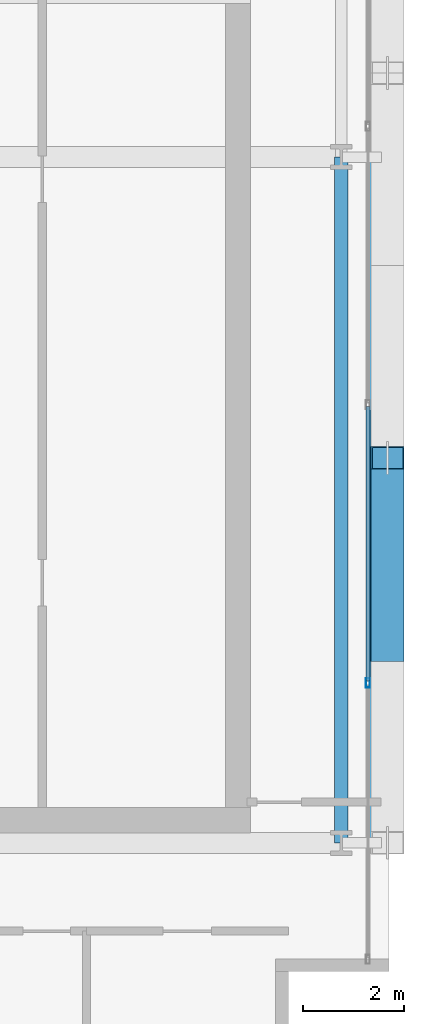
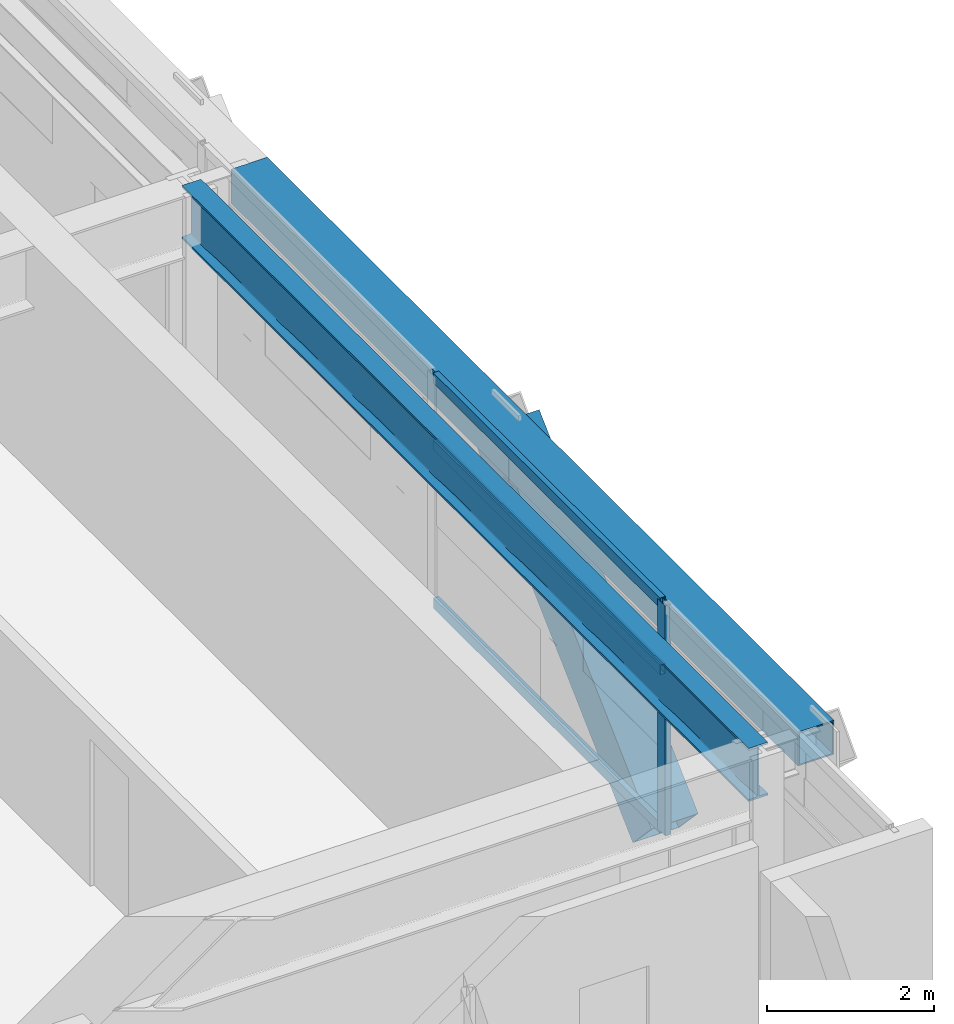
# One storey, part 12 of 32: 5 members, 2 beams, 1 element without a shape of its own.
"""IFC4 building model written with IfcOpenShell, lengths in metres."""

from ifc_helpers import new_model, si_unit, direction, frame, origin, origin_2d, place, context, subcontext, project, spatial, hollow_rectangle, i_section, extrude, source, transform, mapped, material, layer, layer_set, material_profile, profile_set, type_object, element, aggregate, save


model = new_model("IFC4")

# Units and contexts
model_context = context("Model", 3, precision=1e-05, world=origin(), true_north=direction((0.0, 1.0)))
body_context = subcontext(model_context, "Body", "Model", "MODEL_VIEW")
ifc_project = project(units=[si_unit("LENGTHUNIT", "METRE"), si_unit("AREAUNIT", "SQUARE_METRE"), si_unit("VOLUMEUNIT", "CUBIC_METRE"), si_unit("PLANEANGLEUNIT", "RADIAN"), si_unit("MASSUNIT", "GRAM", prefix="KILO")], contexts=[model_context])

# Site, building, storey
site_placement = place(None, origin())
site = spatial("IfcSite", under=ifc_project, at=site_placement, CompositionType="ELEMENT")
building_placement = place(site_placement, origin())
building = spatial("IfcBuilding", under=site, at=building_placement, Name="Ocotamira Hotel", CompositionType="ELEMENT")
storey_placement = place(building_placement, frame((0.0, 0.0, 206.39990234375)))
storey = spatial("IfcBuildingStorey", under=building, at=storey_placement, Name="L52", CompositionType="ELEMENT", Elevation=206.39990234375)

# Beams
ifc_material_1 = material(Name="Steel ASTM A992 Grade 50", Category="steel")
ifc_material_profile_1 = material_profile(ifc_material_1, i_section(OverallWidth=0.26611328125, OverallDepth=0.779052734375, WebThickness=0.0166015625, FlangeThickness=0.030029296875, FilletRadius=0.01806640625, at=origin_2d()), Name="W30X148")
ifc_profile_set_1 = profile_set([ifc_material_profile_1], Name="Steel ASTM A992 Grade 50")
beam_type_1 = type_object("IfcBeamType", Name="BM-GIRD-W30X148", PredefinedType="BEAM", material=ifc_profile_set_1)
shared_shape_1 = source(origin(), body_context, "Body", "SweptSolid", [
    extrude(i_section(OverallWidth=0.26611328125, OverallDepth=0.779052734375, WebThickness=0.0166015625, FlangeThickness=0.030029296875, FilletRadius=0.01806640625, at=origin_2d()), origin(), (0.0, 0.0, 1.0), 13.599853515625),
])
beam_1_placement = place(storey_placement, frame((55.050048828125, 14.550048828125, 2.980712890625), z_axis=(0.0, 1.0, 0.0), x_axis=(-1.0, 0.0, 0.0)))
element("IfcBeam", 1, at=beam_1_placement, inside=storey, type_object=beam_type_1, Name="L52 Beam X55.05 Y14.55-28.15", PredefinedType="BEAM", context=body_context, shape_type="MappedRepresentation", body=[
    mapped(shared_shape_1, transform((0.0, 0.0, 0.0), scale=1.0)),
])
ifc_material_2 = material(Name="Steel ASTM A500 Grade C", Category="steel")
ifc_material_profile_2 = material_profile(ifc_material_2, hollow_rectangle(XDim=0.5, YDim=0.5, WallThickness=0.02001953125, at=origin_2d()), Name="HSS500X500X20")
ifc_profile_set_2 = profile_set([ifc_material_profile_2], Name="Steel ASTM A500 Grade C")
beam_type_2 = type_object("IfcBeamType", Name="BM-SPAN-HSS500", PredefinedType="USERDEFINED", material=ifc_profile_set_2)
shared_shape_2 = source(origin(), body_context, "Body", "SweptSolid", [
    extrude(hollow_rectangle(XDim=0.5, YDim=0.5, WallThickness=0.02001953125, at=origin_2d()), origin(), (0.0, 0.0, 1.0), 13.599853515625),
])
beam_2_placement = place(storey_placement, frame((55.85009765625, 14.550048828125, 3.1201171875), z_axis=(0.0, 1.0, 0.0), x_axis=(-1.0, 0.0, 0.0)))
element("IfcBeam", 2, at=beam_2_placement, inside=storey, type_object=beam_type_2, Name="L52 Edge Spandrel E Y14.55-28.15", ObjectType="SPANDREL", PredefinedType="USERDEFINED", context=body_context, shape_type="MappedRepresentation", body=[
    mapped(shared_shape_2, transform((0.0, 0.0, 0.0), scale=1.0)),
])

# Member
ifc_material_3 = material(Name="Pale-metal coated steel ASTM A913 Grade 65", Category="steel")
ifc_material_profile_3 = material_profile(ifc_material_3, hollow_rectangle(XDim=0.64990234375, YDim=0.64990234375, WallThickness=0.02197265625, at=origin_2d()), Name="BOX650X650X22")
ifc_profile_set_3 = profile_set([ifc_material_profile_3], Name="Pale-metal coated steel ASTM A913 Grade 65")
member_type_1 = type_object("IfcMemberType", Name="MEM-EXO-BOX650", PredefinedType="BRACE", material=ifc_profile_set_3)
shared_shape_3 = source(origin(), body_context, "Body", "SweptSolid", [
    extrude(hollow_rectangle(XDim=0.64990234375, YDim=0.64990234375, WallThickness=0.02197265625, at=origin_2d()), origin(), (0.0, 0.0, 1.0), 5.24658203125),
])
member_1_placement = place(storey_placement, frame((55.969970703125, 18.36669921875, -0.47998046875), z_axis=(0.0, 0.727442733726, 0.686168397078), x_axis=(-1.0, 0.0, 0.0)))
element("IfcMember", 3, at=member_1_placement, inside=storey, type_object=member_type_1, Name="L52 Exoskeleton Diagrid E0.2", PredefinedType="BRACE", context=body_context, shape_type="MappedRepresentation", body=[
    mapped(shared_shape_3, transform((0.0, 0.0, 0.0), scale=1.0)),
])

# Curtain wall, members
ifc_material_4 = material(Name="Anodised pale-metal aluminium and solar glass", Category="aluminium")
ifc_layer = layer(ifc_material_4, 0.199951171875)
ifc_layer_set = layer_set([ifc_layer], Name="Anodised pale-metal aluminium and solar glass")
curtain_wall_type = type_object("IfcCurtainWallType", Name="CW-SYS4-Z3", PredefinedType="NOTDEFINED", material=ifc_layer_set)
curtain_wall_placement = place(storey_placement, origin())
curtain_wall = element("IfcCurtainWall", 4, at=curtain_wall_placement, inside=storey, type_object=curtain_wall_type, Name="L52 Curtain Wall CW-4 CW-L52-E", PredefinedType="NOTDEFINED")
ifc_material_5 = material(Name="Anodised pale-metal aluminium 6063-T6", Category="aluminium")
ifc_material_profile_4 = material_profile(ifc_material_5, hollow_rectangle(XDim=0.080078125, YDim=0.179931640625, WallThickness=0.006103515625, at=origin_2d()), Name="HSS180X80X6")
ifc_profile_set_4 = profile_set([ifc_material_profile_4], Name="Anodised pale-metal aluminium 6063-T6")
member_type_2 = type_object("IfcMemberType", Name="CWM-180X75", PredefinedType="MULLION", material=ifc_profile_set_4)
shared_shape_4 = source(origin(), body_context, "Body", "SweptSolid", [
    extrude(hollow_rectangle(XDim=0.080078125, YDim=0.179931640625, WallThickness=0.006103515625, at=origin_2d()), origin(), (0.0, 0.0, 1.0), 3.3701171875),
])
member_2_placement = place(storey_placement, frame((55.580078125, 17.719970703125, 0.0), z_axis=(0.0, 0.0, 1.0), x_axis=(-1.0, 0.0, 0.0)))
member_2 = element("IfcMember", 5, at=member_2_placement, type_object=member_type_2, Name="CW-4 mullion 2", PredefinedType="MULLION", context=body_context, shape_type="MappedRepresentation", body=[
    mapped(shared_shape_4, transform((0.0, 0.0, 0.0), scale=1.0)),
])
ifc_material_profile_5 = material_profile(ifc_material_5, hollow_rectangle(XDim=0.074951171875, YDim=0.14990234375, WallThickness=0.006103515625, at=origin_2d()), Name="HSS150X75X6")
ifc_profile_set_5 = profile_set([ifc_material_profile_5], Name="Anodised pale-metal aluminium 6063-T6")
member_type_3 = type_object("IfcMemberType", Name="CWT-150X75", PredefinedType="USERDEFINED", material=ifc_profile_set_5)
shared_shape_5 = source(origin(), body_context, "Body", "SweptSolid", [
    extrude(hollow_rectangle(XDim=0.074951171875, YDim=0.14990234375, WallThickness=0.006103515625, at=origin_2d()), origin(), (0.0, 0.0, 1.0), 5.43994140625),
])
member_3_placement = place(storey_placement, frame((55.580078125, 17.760009765625, 0.03759765625), z_axis=(0.0, 1.0, 0.0), x_axis=(-1.0, 0.0, 0.0)))
member_3 = element("IfcMember", 6, at=member_3_placement, type_object=member_type_3, Name="CW-4 transom 2.1", ObjectType="TRANSOM", PredefinedType="USERDEFINED", context=body_context, shape_type="MappedRepresentation", body=[
    mapped(shared_shape_5, transform((0.0, 0.0, 0.0), scale=1.0)),
])
member_4_placement = place(storey_placement, frame((55.580078125, 17.760009765625, 2.35009765625), z_axis=(0.0, 1.0, 0.0), x_axis=(-1.0, 0.0, 0.0)))
member_4 = element("IfcMember", 7, at=member_4_placement, type_object=member_type_3, Name="CW-4 transom 2.2", ObjectType="TRANSOM", PredefinedType="USERDEFINED", context=body_context, shape_type="MappedRepresentation", body=[
    mapped(shared_shape_5, transform((0.0, 0.0, 0.0), scale=1.0)),
])
member_5_placement = place(storey_placement, frame((55.580078125, 17.760009765625, 3.33251953125), z_axis=(0.0, 1.0, 0.0), x_axis=(-1.0, 0.0, 0.0)))
member_5 = element("IfcMember", 8, at=member_5_placement, type_object=member_type_3, Name="CW-4 transom 2.3", ObjectType="TRANSOM", PredefinedType="USERDEFINED", context=body_context, shape_type="MappedRepresentation", body=[
    mapped(shared_shape_5, transform((0.0, 0.0, 0.0), scale=1.0)),
])
aggregate(curtain_wall, [member_2, member_3, member_4, member_5])

save(model, "model.ifc")
